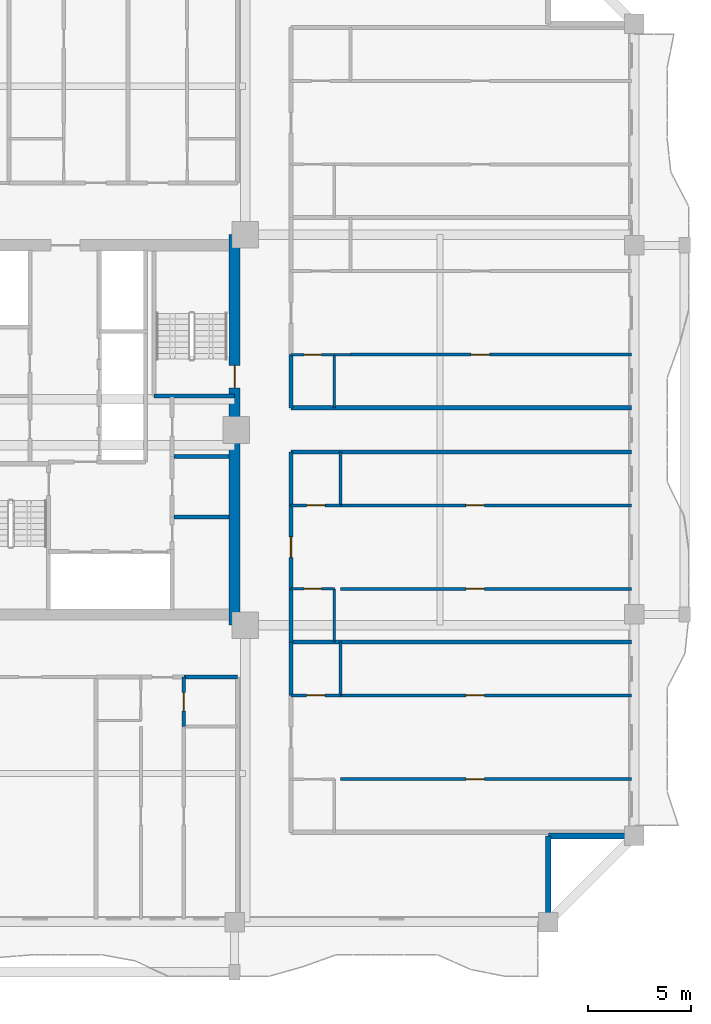
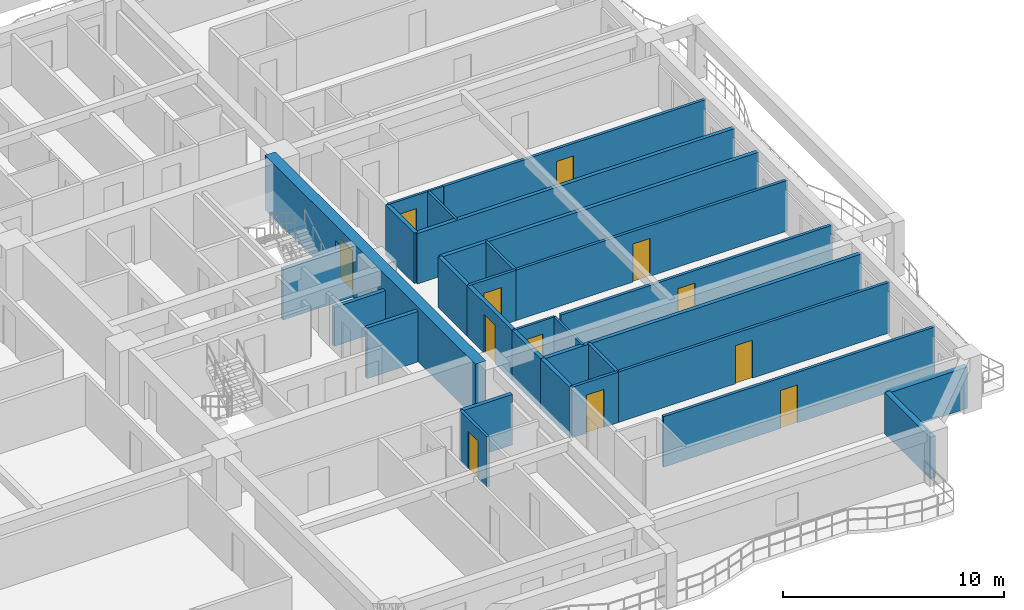
# One storey, part 4 of 12: 30 walls, 12 doors, 12 openings.
"""IFC4 building model written with IfcOpenShell, lengths in metres."""

from ifc_helpers import new_model, si_unit, direction, frame, frame_2d, origin, place, context, subcontext, project, spatial, rectangle, extrude, source, transform, mapped, material, layer, layer_set, type_object, element, fill, save


model = new_model("IFC4")

# Units and contexts
model_context = context("Model", 3, precision=1e-05, world=origin(), true_north=direction((0.0, 1.0)))
body_context = subcontext(model_context, "Body", "Model", "MODEL_VIEW")
ifc_project = project(units=[si_unit("LENGTHUNIT", "METRE"), si_unit("AREAUNIT", "SQUARE_METRE"), si_unit("VOLUMEUNIT", "CUBIC_METRE"), si_unit("PLANEANGLEUNIT", "RADIAN"), si_unit("MASSUNIT", "GRAM", prefix="KILO")], contexts=[model_context])

# Site, building, storey
site_placement = place(None, origin())
site = spatial("IfcSite", under=ifc_project, at=site_placement, CompositionType="ELEMENT")
building_placement = place(site_placement, origin())
building = spatial("IfcBuilding", under=site, at=building_placement, Name="Saelheon Loggia Tower", CompositionType="ELEMENT")
storey_placement = place(building_placement, frame((0.0, 0.0, 101.85009765625)))
storey = spatial("IfcBuildingStorey", under=building, at=storey_placement, Name="L32", CompositionType="ELEMENT", Elevation=101.85009765625)

# Wall, opening, door
ifc_material_1 = material(Name="Concrete C50/60", Category="concrete")
ifc_layer_1 = layer(ifc_material_1, 0.550048828125)
ifc_layer_set_1 = layer_set([ifc_layer_1], Name="Concrete C50/60")
wall_type_1 = type_object("IfcWallType", Name="Wall_CoreShear_550", PredefinedType="SHEAR", material=ifc_layer_set_1)
wall_1_placement = place(storey_placement, frame((44.5, 17.47998046875, 0.0), z_axis=(0.0, 0.0, 1.0), x_axis=(0.0, 1.0, 0.0)))
wall_1 = element("IfcWall", 1, at=wall_1_placement, inside=storey, type_object=wall_type_1, Name="L32 Core Shear Wall East", PredefinedType="SHEAR", context=body_context, shape_type="SweptSolid", body=[
    extrude(rectangle(XDim=19.0400390625, YDim=0.550048828125, at=frame_2d((9.52001953125, 0.0))), origin(), (0.0, 0.0, 1.0), 3.0),
])
opening_1_placement = place(wall_1_placement, frame((12.670166015625, 0.0, 0.0), z_axis=(0.0, 0.0, 1.0), x_axis=(-1.0, 0.0, 0.0)))
opening_1 = element("IfcOpeningElement", 2, at=opening_1_placement, cuts=wall_1, Name="Opening D-FD2", PredefinedType="OPENING", context=body_context, shape_type="SweptSolid", body=[
    extrude(rectangle(XDim=1.10009765625, YDim=2.14990234375, at=frame_2d((0.550048828125, 1.074951171875))), frame((0.0, 0.287109375, 0.0), z_axis=(0.0, -1.0, 0.0), x_axis=(1.0, 0.0, 0.0)), (0.0, 0.0, 1.0), 0.573974609375),
])
ifc_material_2 = material(Name="Galvanised Steel Fire Door", Category="steel")
door_type_1 = type_object("IfcDoorType", Name="Door_Fire_FD60_1100", OperationType="NOTDEFINED", PredefinedType="DOOR", material=ifc_material_2)
shared_shape_1 = source(origin(), body_context, "Body", "SweptSolid", [
    extrude(rectangle(XDim=1.10009765625, YDim=2.14990234375, at=frame_2d((0.550048828125, 1.074951171875))), frame((0.0, 0.02490234375, 0.0), z_axis=(0.0, -1.0, 0.0), x_axis=(1.0, 0.0, 0.0)), (0.0, 0.0, 1.0), 0.050048828125),
])
door_1_placement = place(opening_1_placement, origin())
door_1 = element("IfcDoor", 3, at=door_1_placement, inside=storey, type_object=door_type_1, Name="L32 Stair ST2 Corridor Door", OperationType="SINGLE_SWING_RIGHT", OverallHeight=2.14990234375, OverallWidth=1.10009765625, PredefinedType="DOOR", context=body_context, shape_type="MappedRepresentation", body=[
    mapped(shared_shape_1, transform((0.0, 0.0, 0.0), scale=1.0)),
])
fill(opening_1, door_1)

# Walls
ifc_material_3 = material(Name="Architectural Precast Concrete C40/50", Category="concrete")
ifc_layer_2 = layer(ifc_material_3, 0.280029296875)
ifc_layer_set_2 = layer_set([ifc_layer_2], Name="Architectural Precast Concrete C40/50")
wall_type_2 = type_object("IfcWallType", Name="Wall_Ext_Loggia_280", PredefinedType="SOLIDWALL", material=ifc_layer_set_2)
for number, where, z_axis, x_axis, name in (
    (4, (59.800048828125, 3.080078125, 0.0), (0.0, 0.0, 1.0), (0.0, 1.0, 0.0), "L32 Corner Notch Precast Wall SE1"),
    (5, (59.800048828125, 7.199951171875, 0.0), (0.0, 0.0, 1.0), (1.0, 0.0, 0.0), "L32 Corner Notch Precast Wall SE2"),
):
    element("IfcWall", number, at=place(storey_placement, frame(where, z_axis=z_axis, x_axis=x_axis)), inside=storey, type_object=wall_type_2, Name=name, PredefinedType="SOLIDWALL", context=body_context, shape_type="SweptSolid", body=[
        extrude(rectangle(XDim=4.119873046875, YDim=0.280029296875, at=frame_2d((2.06005859375, 0.0))), origin(), (0.0, 0.0, 1.0), 2.27978515625),
    ])

# Wall, opening, door
ifc_material_4 = material(Name="Lightweight Autoclaved Aerated Concrete Block and Acoustic Gypsum", Category="concrete")
ifc_layer_3 = layer(ifc_material_4, 0.14990234375)
ifc_layer_set_3 = layer_set([ifc_layer_3], Name="Lightweight Autoclaved Aerated Concrete Block and Acoustic Gypsum")
wall_type_3 = type_object("IfcWallType", Name="Wall_Part_150", PredefinedType="PARTITIONING", material=ifc_layer_set_3)
wall_2_placement = place(storey_placement, frame((42.02197265625, 14.949951171875, 0.0), z_axis=(0.0, 0.0, 1.0), x_axis=(0.0, -1.0, 0.0)))
wall_2 = element("IfcWall", 6, at=wall_2_placement, inside=storey, type_object=wall_type_3, Name="L32 S Partition U12", PredefinedType="PARTITIONING", context=body_context, shape_type="SweptSolid", body=[
    extrude(rectangle(XDim=2.419921875, YDim=0.14990234375, at=frame_2d((1.2099609375, 0.0))), origin(), (0.0, 0.0, 1.0), 2.789794921875),
])
opening_2_placement = place(wall_2_placement, frame((0.760009765625, 0.0, 0.0)))
opening_2 = element("IfcOpeningElement", 7, at=opening_2_placement, cuts=wall_2, Name="Opening D-IN2", PredefinedType="OPENING", context=body_context, shape_type="SweptSolid", body=[
    extrude(rectangle(XDim=0.89990234375, YDim=2.10009765625, at=frame_2d((0.449951171875, 1.050048828125))), frame((0.0, 0.0869140625, 0.0), z_axis=(0.0, -1.0, 0.0), x_axis=(1.0, 0.0, 0.0)), (0.0, 0.0, 1.0), 0.173828125),
])
ifc_material_5 = material(Name="Engineered Oak Flush Door", Category="timber")
door_type_2 = type_object("IfcDoorType", Name="Door_Int_900", OperationType="NOTDEFINED", PredefinedType="DOOR", material=ifc_material_5)
shared_shape_2 = source(origin(), body_context, "Body", "SweptSolid", [
    extrude(rectangle(XDim=0.89990234375, YDim=2.10009765625, at=frame_2d((0.449951171875, 1.050048828125))), frame((0.0, 0.02490234375, 0.0), z_axis=(0.0, -1.0, 0.0), x_axis=(1.0, 0.0, 0.0)), (0.0, 0.0, 1.0), 0.050048828125),
])
door_2_placement = place(opening_2_placement, origin())
door_2 = element("IfcDoor", 8, at=door_2_placement, inside=storey, type_object=door_type_2, Name="Unit U01 Dressing Closet Door", OperationType="SINGLE_SWING_LEFT", OverallHeight=2.10009765625, OverallWidth=0.89990234375, PredefinedType="DOOR", context=body_context, shape_type="MappedRepresentation", body=[
    mapped(shared_shape_2, transform((0.0, 0.0, 0.0), scale=1.0)),
])
fill(opening_2, door_2)

# Wall
wall_3_placement = place(storey_placement, frame((49.669921875, 14.050048828125, 0.0), z_axis=(0.0, 0.0, 1.0), x_axis=(0.0, 1.0, 0.0)))
element("IfcWall", 9, at=wall_3_placement, inside=storey, type_object=wall_type_3, Name="L32 ES Partition V07", PredefinedType="PARTITIONING", context=body_context, shape_type="SweptSolid", body=[
    extrude(rectangle(XDim=2.599853515625, YDim=0.14990234375, at=frame_2d((1.2998046875, 0.0))), origin(), (0.0, 0.0, 1.0), 2.789794921875),
])

# Wall, opening, door
wall_4_placement = place(storey_placement, frame((49.669921875, 9.9755859375, 0.0), z_axis=(0.0, 0.0, 1.0), x_axis=(1.0, 0.0, 0.0)))
wall_4 = element("IfcWall", 10, at=wall_4_placement, inside=storey, type_object=wall_type_3, Name="L32 ES Partition U09", PredefinedType="PARTITIONING", context=body_context, shape_type="SweptSolid", body=[
    extrude(rectangle(XDim=14.18017578125, YDim=0.14990234375, at=frame_2d((7.090087890625, 0.0))), origin(), (0.0, 0.0, 1.0), 2.789794921875),
])
opening_3_placement = place(wall_4_placement, frame((6.106689453125, 0.0, 0.0)))
opening_3 = element("IfcOpeningElement", 11, at=opening_3_placement, cuts=wall_4, Name="Opening D-IN2", PredefinedType="OPENING", context=body_context, shape_type="SweptSolid", body=[
    extrude(rectangle(XDim=0.89990234375, YDim=2.10009765625, at=frame_2d((0.449951171875, 1.050048828125))), frame((0.0, 0.0869140625, 0.0), z_axis=(0.0, -1.0, 0.0), x_axis=(1.0, 0.0, 0.0)), (0.0, 0.0, 1.0), 0.173828125),
])
door_3_placement = place(opening_3_placement, origin())
door_3 = element("IfcDoor", 12, at=door_3_placement, inside=storey, type_object=door_type_2, Name="Unit U04 Kitchen Door", OperationType="SINGLE_SWING_RIGHT", OverallHeight=2.10009765625, OverallWidth=0.89990234375, PredefinedType="DOOR", context=body_context, shape_type="MappedRepresentation", body=[
    mapped(shared_shape_2, transform((0.0, 0.0, 0.0), scale=1.0)),
])
fill(opening_3, door_3)

wall_5_placement = place(storey_placement, frame((47.25, 14.050048828125, 0.0), z_axis=(0.0, 0.0, 1.0), x_axis=(1.0, 0.0, 0.0)))
wall_5 = element("IfcWall", 13, at=wall_5_placement, inside=storey, type_object=wall_type_3, Name="L32 ES Partition U10", PredefinedType="PARTITIONING", context=body_context, shape_type="SweptSolid", body=[
    extrude(rectangle(XDim=2.419921875, YDim=0.14990234375, at=frame_2d((1.2099609375, 0.0))), origin(), (0.0, 0.0, 1.0), 2.789794921875),
])
opening_4_placement = place(wall_5_placement, frame((0.760009765625, 0.0, 0.0)))
opening_4 = element("IfcOpeningElement", 14, at=opening_4_placement, cuts=wall_5, Name="Opening D-IN2", PredefinedType="OPENING", context=body_context, shape_type="SweptSolid", body=[
    extrude(rectangle(XDim=0.89990234375, YDim=2.10009765625, at=frame_2d((0.449951171875, 1.050048828125))), frame((0.0, 0.0869140625, 0.0), z_axis=(0.0, -1.0, 0.0), x_axis=(1.0, 0.0, 0.0)), (0.0, 0.0, 1.0), 0.173828125),
])
door_4_placement = place(opening_4_placement, origin())
door_4 = element("IfcDoor", 15, at=door_4_placement, inside=storey, type_object=door_type_2, Name="Unit U04 Dressing Closet Door", OperationType="SINGLE_SWING_LEFT", OverallHeight=2.10009765625, OverallWidth=0.89990234375, PredefinedType="DOOR", context=body_context, shape_type="MappedRepresentation", body=[
    mapped(shared_shape_2, transform((0.0, 0.0, 0.0), scale=1.0)),
])
fill(opening_4, door_4)

wall_6_placement = place(storey_placement, frame((49.669921875, 14.050048828125, 0.0), z_axis=(0.0, 0.0, 1.0), x_axis=(1.0, 0.0, 0.0)))
wall_6 = element("IfcWall", 16, at=wall_6_placement, inside=storey, type_object=wall_type_3, Name="L32 ES Partition U11", PredefinedType="PARTITIONING", context=body_context, shape_type="SweptSolid", body=[
    extrude(rectangle(XDim=14.18017578125, YDim=0.14990234375, at=frame_2d((7.090087890625, 0.0))), origin(), (0.0, 0.0, 1.0), 2.789794921875),
])
opening_5_placement = place(wall_6_placement, frame((6.106689453125, 0.0, 0.0)))
opening_5 = element("IfcOpeningElement", 17, at=opening_5_placement, cuts=wall_6, Name="Opening D-IN2", PredefinedType="OPENING", context=body_context, shape_type="SweptSolid", body=[
    extrude(rectangle(XDim=0.89990234375, YDim=2.10009765625, at=frame_2d((0.449951171875, 1.050048828125))), frame((0.0, 0.0869140625, 0.0), z_axis=(0.0, -1.0, 0.0), x_axis=(1.0, 0.0, 0.0)), (0.0, 0.0, 1.0), 0.173828125),
])
door_5_placement = place(opening_5_placement, origin())
door_5 = element("IfcDoor", 18, at=door_5_placement, inside=storey, type_object=door_type_2, Name="Unit U04 Bedroom 1 Door", OperationType="SINGLE_SWING_RIGHT", OverallHeight=2.10009765625, OverallWidth=0.89990234375, PredefinedType="DOOR", context=body_context, shape_type="MappedRepresentation", body=[
    mapped(shared_shape_2, transform((0.0, 0.0, 0.0), scale=1.0)),
])
fill(opening_5, door_5)

# Wall
wall_7_placement = place(storey_placement, frame((49.669921875, 23.320068359375, 0.0), z_axis=(0.0, 0.0, 1.0), x_axis=(0.0, 1.0, 0.0)))
element("IfcWall", 19, at=wall_7_placement, inside=storey, type_object=wall_type_3, Name="L32 ES Partition V17", PredefinedType="PARTITIONING", context=body_context, shape_type="SweptSolid", body=[
    extrude(rectangle(XDim=2.599853515625, YDim=0.14990234375, at=frame_2d((1.2998046875, 0.0))), origin(), (0.0, 0.0, 1.0), 2.789794921875),
])

# Wall, opening, door
wall_8_placement = place(storey_placement, frame((49.669921875, 19.24560546875, 0.0), z_axis=(0.0, 0.0, 1.0), x_axis=(1.0, 0.0, 0.0)))
wall_8 = element("IfcWall", 20, at=wall_8_placement, inside=storey, type_object=wall_type_3, Name="L32 ES Partition U19", PredefinedType="PARTITIONING", context=body_context, shape_type="SweptSolid", body=[
    extrude(rectangle(XDim=14.18017578125, YDim=0.14990234375, at=frame_2d((7.090087890625, 0.0))), origin(), (0.0, 0.0, 1.0), 2.789794921875),
])
opening_6_placement = place(wall_8_placement, frame((6.106689453125, 0.0, 0.0)))
opening_6 = element("IfcOpeningElement", 21, at=opening_6_placement, cuts=wall_8, Name="Opening D-IN2", PredefinedType="OPENING", context=body_context, shape_type="SweptSolid", body=[
    extrude(rectangle(XDim=0.89990234375, YDim=2.10009765625, at=frame_2d((0.449951171875, 1.050048828125))), frame((0.0, 0.0869140625, 0.0), z_axis=(0.0, -1.0, 0.0), x_axis=(1.0, 0.0, 0.0)), (0.0, 0.0, 1.0), 0.173828125),
])
door_6_placement = place(opening_6_placement, origin())
door_6 = element("IfcDoor", 22, at=door_6_placement, inside=storey, type_object=door_type_2, Name="Unit U05 Kitchen Door", OperationType="SINGLE_SWING_LEFT", OverallHeight=2.10009765625, OverallWidth=0.89990234375, PredefinedType="DOOR", context=body_context, shape_type="MappedRepresentation", body=[
    mapped(shared_shape_2, transform((0.0, 0.0, 0.0), scale=1.0)),
])
fill(opening_6, door_6)

wall_9_placement = place(storey_placement, frame((47.25, 23.320068359375, 0.0), z_axis=(0.0, 0.0, 1.0), x_axis=(1.0, 0.0, 0.0)))
wall_9 = element("IfcWall", 23, at=wall_9_placement, inside=storey, type_object=wall_type_3, Name="L32 ES Partition U20", PredefinedType="PARTITIONING", context=body_context, shape_type="SweptSolid", body=[
    extrude(rectangle(XDim=2.419921875, YDim=0.14990234375, at=frame_2d((1.2099609375, 0.0))), origin(), (0.0, 0.0, 1.0), 2.789794921875),
])
opening_7_placement = place(wall_9_placement, frame((0.760009765625, 0.0, 0.0)))
opening_7 = element("IfcOpeningElement", 24, at=opening_7_placement, cuts=wall_9, Name="Opening D-IN2", PredefinedType="OPENING", context=body_context, shape_type="SweptSolid", body=[
    extrude(rectangle(XDim=0.89990234375, YDim=2.10009765625, at=frame_2d((0.449951171875, 1.050048828125))), frame((0.0, 0.0869140625, 0.0), z_axis=(0.0, -1.0, 0.0), x_axis=(1.0, 0.0, 0.0)), (0.0, 0.0, 1.0), 0.173828125),
])
door_7_placement = place(opening_7_placement, origin())
door_7 = element("IfcDoor", 25, at=door_7_placement, inside=storey, type_object=door_type_2, Name="Unit U05 Dressing Closet Door", OperationType="SINGLE_SWING_RIGHT", OverallHeight=2.10009765625, OverallWidth=0.89990234375, PredefinedType="DOOR", context=body_context, shape_type="MappedRepresentation", body=[
    mapped(shared_shape_2, transform((0.0, 0.0, 0.0), scale=1.0)),
])
fill(opening_7, door_7)

wall_10_placement = place(storey_placement, frame((49.669921875, 23.320068359375, 0.0), z_axis=(0.0, 0.0, 1.0), x_axis=(1.0, 0.0, 0.0)))
wall_10 = element("IfcWall", 26, at=wall_10_placement, inside=storey, type_object=wall_type_3, Name="L32 ES Partition U21", PredefinedType="PARTITIONING", context=body_context, shape_type="SweptSolid", body=[
    extrude(rectangle(XDim=14.18017578125, YDim=0.14990234375, at=frame_2d((7.090087890625, 0.0))), origin(), (0.0, 0.0, 1.0), 2.789794921875),
])
opening_8_placement = place(wall_10_placement, frame((6.106689453125, 0.0, 0.0)))
opening_8 = element("IfcOpeningElement", 27, at=opening_8_placement, cuts=wall_10, Name="Opening D-IN2", PredefinedType="OPENING", context=body_context, shape_type="SweptSolid", body=[
    extrude(rectangle(XDim=0.89990234375, YDim=2.10009765625, at=frame_2d((0.449951171875, 1.050048828125))), frame((0.0, 0.0869140625, 0.0), z_axis=(0.0, -1.0, 0.0), x_axis=(1.0, 0.0, 0.0)), (0.0, 0.0, 1.0), 0.173828125),
])
door_8_placement = place(opening_8_placement, origin())
door_8 = element("IfcDoor", 28, at=door_8_placement, inside=storey, type_object=door_type_2, Name="Unit U05 Bedroom 1 Door", OperationType="SINGLE_SWING_LEFT", OverallHeight=2.10009765625, OverallWidth=0.89990234375, PredefinedType="DOOR", context=body_context, shape_type="MappedRepresentation", body=[
    mapped(shared_shape_2, transform((0.0, 0.0, 0.0), scale=1.0)),
])
fill(opening_8, door_8)

wall_11_placement = place(storey_placement, frame((50.14990234375, 30.675537109375, 0.0), z_axis=(0.0, 0.0, 1.0), x_axis=(1.0, 0.0, 0.0)))
wall_11 = element("IfcWall", 29, at=wall_11_placement, inside=storey, type_object=wall_type_3, Name="L32 EN Partition U10", PredefinedType="PARTITIONING", context=body_context, shape_type="SweptSolid", body=[
    extrude(rectangle(XDim=13.7001953125, YDim=0.14990234375, at=frame_2d((6.85009765625, 0.0))), origin(), (0.0, 0.0, 1.0), 2.789794921875),
])
opening_9_placement = place(wall_11_placement, frame((5.88671875, 0.0, 0.0)))
opening_9 = element("IfcOpeningElement", 30, at=opening_9_placement, cuts=wall_11, Name="Opening D-IN2", PredefinedType="OPENING", context=body_context, shape_type="SweptSolid", body=[
    extrude(rectangle(XDim=0.89990234375, YDim=2.10009765625, at=frame_2d((0.449951171875, 1.050048828125))), frame((0.0, 0.0869140625, 0.0), z_axis=(0.0, -1.0, 0.0), x_axis=(1.0, 0.0, 0.0)), (0.0, 0.0, 1.0), 0.173828125),
])
door_9_placement = place(opening_9_placement, origin())
door_9 = element("IfcDoor", 31, at=door_9_placement, inside=storey, type_object=door_type_2, Name="Unit U06 Kitchen Door", OperationType="SINGLE_SWING_RIGHT", OverallHeight=2.10009765625, OverallWidth=0.89990234375, PredefinedType="DOOR", context=body_context, shape_type="MappedRepresentation", body=[
    mapped(shared_shape_2, transform((0.0, 0.0, 0.0), scale=1.0)),
])
fill(opening_9, door_9)

# Walls
ifc_material_6 = material(Name="Double Acoustic Stud and Fireboard Partition", Category="gypsum")
ifc_layer_4 = layer(ifc_material_6, 0.199951171875)
ifc_layer_set_4 = layer_set([ifc_layer_4], Name="Double Acoustic Stud and Fireboard Partition")
wall_type_4 = type_object("IfcWallType", Name="Wall_Party_200", PredefinedType="PARTITIONING", material=ifc_layer_set_4)
wall_12_placement = place(storey_placement, frame((42.02197265625, 14.949951171875, 0.0), z_axis=(0.0, 0.0, 1.0), x_axis=(1.0, 0.0, 0.0)))
element("IfcWall", 32, at=wall_12_placement, inside=storey, type_object=wall_type_4, Name="L32 S Partition V07", PredefinedType="PARTITIONING", context=body_context, shape_type="SweptSolid", body=[
    extrude(rectangle(XDim=2.6279296875, YDim=0.199951171875, at=frame_2d((1.31396484375, 0.0))), origin(), (0.0, 0.0, 1.0), 2.789794921875),
])
wall_13_placement = place(storey_placement, frame((47.25, 25.919921875, 0.0), z_axis=(0.0, 0.0, 1.0), x_axis=(1.0, 0.0, 0.0)))
element("IfcWall", 33, at=wall_13_placement, inside=storey, type_object=wall_type_4, Name="L32 ES Partition U02", PredefinedType="PARTITIONING", context=body_context, shape_type="SweptSolid", body=[
    extrude(rectangle(XDim=16.60009765625, YDim=0.199951171875, at=frame_2d((8.300048828125, 0.0))), origin(), (0.0, 0.0, 1.0), 2.789794921875),
])
wall_14_placement = place(storey_placement, frame((47.25, 14.050048828125, 0.0), z_axis=(0.0, 0.0, 1.0), x_axis=(0.0, 1.0, 0.0)))
element("IfcWall", 34, at=wall_14_placement, inside=storey, type_object=wall_type_4, Name="L32 ES Partition V05", PredefinedType="PARTITIONING", context=body_context, shape_type="SweptSolid", body=[
    extrude(rectangle(XDim=2.599853515625, YDim=0.199951171875, at=frame_2d((1.2998046875, 0.0))), origin(), (0.0, 0.0, 1.0), 2.789794921875),
])
wall_15_placement = place(storey_placement, frame((47.25, 16.64990234375, 0.0), z_axis=(0.0, 0.0, 1.0), x_axis=(1.0, 0.0, 0.0)))
element("IfcWall", 35, at=wall_15_placement, inside=storey, type_object=wall_type_4, Name="L32 ES Partition U12", PredefinedType="PARTITIONING", context=body_context, shape_type="SweptSolid", body=[
    extrude(rectangle(XDim=16.60009765625, YDim=0.199951171875, at=frame_2d((8.300048828125, 0.0))), origin(), (0.0, 0.0, 1.0), 2.789794921875),
])
wall_16_placement = place(storey_placement, frame((47.25, 16.64990234375, 0.0), z_axis=(0.0, 0.0, 1.0), x_axis=(0.0, 1.0, 0.0)))
element("IfcWall", 36, at=wall_16_placement, inside=storey, type_object=wall_type_4, Name="L32 ES Partition V13", PredefinedType="PARTITIONING", context=body_context, shape_type="SweptSolid", body=[
    extrude(rectangle(XDim=2.595703125, YDim=0.199951171875, at=frame_2d((1.2978515625, 0.0))), origin(), (0.0, 0.0, 1.0), 2.789794921875),
])

# Wall, opening, door
wall_17_placement = place(storey_placement, frame((47.25, 19.24560546875, 0.0), z_axis=(0.0, 0.0, 1.0), x_axis=(0.0, 1.0, 0.0)))
wall_17 = element("IfcWall", 37, at=wall_17_placement, inside=storey, type_object=wall_type_4, Name="L32 ES Partition V14", PredefinedType="PARTITIONING", context=body_context, shape_type="SweptSolid", body=[
    extrude(rectangle(XDim=4.074462890625, YDim=0.199951171875, at=frame_2d((2.037109375, 0.0))), origin(), (0.0, 0.0, 1.0), 2.789794921875),
])
opening_10_placement = place(wall_17_placement, frame((1.537109375, 0.0, 0.0)))
opening_10 = element("IfcOpeningElement", 38, at=opening_10_placement, cuts=wall_17, Name="Opening D-FD1", PredefinedType="OPENING", context=body_context, shape_type="SweptSolid", body=[
    extrude(rectangle(XDim=1.0, YDim=2.14990234375, at=frame_2d((0.5, 1.074951171875))), frame((0.0, 0.112060546875, 0.0), z_axis=(0.0, -1.0, 0.0), x_axis=(1.0, 0.0, 0.0)), (0.0, 0.0, 1.0), 0.223876953125),
])
ifc_material_7 = material(Name="Fire-Rated Engineered Timber Entrance Door", Category="wood")
door_type_3 = type_object("IfcDoorType", Name="Door_Flat_FD30S", OperationType="NOTDEFINED", PredefinedType="DOOR", material=ifc_material_7)
shared_shape_3 = source(origin(), body_context, "Body", "SweptSolid", [
    extrude(rectangle(XDim=1.0, YDim=2.14990234375, at=frame_2d((0.5, 1.074951171875))), frame((0.0, 0.02490234375, 0.0), z_axis=(0.0, -1.0, 0.0), x_axis=(1.0, 0.0, 0.0)), (0.0, 0.0, 1.0), 0.050048828125),
])
door_10_placement = place(opening_10_placement, origin())
door_10 = element("IfcDoor", 39, at=door_10_placement, inside=storey, type_object=door_type_3, Name="Unit U05 Entrance Door", OperationType="SINGLE_SWING_LEFT", OverallHeight=2.14990234375, OverallWidth=1.0, PredefinedType="DOOR", context=body_context, shape_type="MappedRepresentation", body=[
    mapped(shared_shape_3, transform((0.0, 0.0, 0.0), scale=1.0)),
])
fill(opening_10, door_10)

# Walls
wall_18_placement = place(storey_placement, frame((47.25, 23.320068359375, 0.0), z_axis=(0.0, 0.0, 1.0), x_axis=(0.0, 1.0, 0.0)))
element("IfcWall", 40, at=wall_18_placement, inside=storey, type_object=wall_type_4, Name="L32 ES Partition V15", PredefinedType="PARTITIONING", context=body_context, shape_type="SweptSolid", body=[
    extrude(rectangle(XDim=2.599853515625, YDim=0.199951171875, at=frame_2d((1.2998046875, 0.0))), origin(), (0.0, 0.0, 1.0), 2.789794921875),
])
wall_19_placement = place(storey_placement, frame((47.25, 28.080078125, 0.0), z_axis=(0.0, 0.0, 1.0), x_axis=(1.0, 0.0, 0.0)))
element("IfcWall", 41, at=wall_19_placement, inside=storey, type_object=wall_type_4, Name="L32 EN Partition U01", PredefinedType="PARTITIONING", context=body_context, shape_type="SweptSolid", body=[
    extrude(rectangle(XDim=16.60009765625, YDim=0.199951171875, at=frame_2d((8.300048828125, 0.0))), origin(), (0.0, 0.0, 1.0), 2.789794921875),
])
wall_20_placement = place(storey_placement, frame((47.25, 28.080078125, 0.0), z_axis=(0.0, 0.0, 1.0), x_axis=(0.0, 1.0, 0.0)))
element("IfcWall", 42, at=wall_20_placement, inside=storey, type_object=wall_type_4, Name="L32 EN Partition V03", PredefinedType="PARTITIONING", context=body_context, shape_type="SweptSolid", body=[
    extrude(rectangle(XDim=2.595458984375, YDim=0.199951171875, at=frame_2d((1.2978515625, 0.0))), origin(), (0.0, 0.0, 1.0), 2.789794921875),
])
ifc_material_8 = material(Name="Concrete C40/50", Category="concrete")
ifc_layer_5 = layer(ifc_material_8, 0.199951171875)
ifc_layer_set_5 = layer_set([ifc_layer_5], Name="Concrete C40/50")
wall_type_5 = type_object("IfcWallType", Name="Wall_Shaft_200", PredefinedType="PARTITIONING", material=ifc_layer_set_5)
wall_21_placement = place(storey_placement, frame((41.550048828125, 22.75, 0.0), z_axis=(0.0, 0.0, 1.0), x_axis=(1.0, 0.0, 0.0)))
element("IfcWall", 43, at=wall_21_placement, inside=storey, type_object=wall_type_5, Name="CW-BOH-L32-H1", PredefinedType="PARTITIONING", context=body_context, shape_type="SweptSolid", body=[
    extrude(rectangle(XDim=2.669921875, YDim=0.199951171875, at=frame_2d((1.3349609375, 0.0))), origin(), (0.0, 0.0, 1.0), 2.789794921875),
])
wall_22_placement = place(storey_placement, frame((41.550048828125, 25.699951171875, 0.0), z_axis=(0.0, 0.0, 1.0), x_axis=(1.0, 0.0, 0.0)))
element("IfcWall", 44, at=wall_22_placement, inside=storey, type_object=wall_type_5, Name="CW-BOH-L32-H2", PredefinedType="PARTITIONING", context=body_context, shape_type="SweptSolid", body=[
    extrude(rectangle(XDim=2.669921875, YDim=0.199951171875, at=frame_2d((1.3349609375, 0.0))), origin(), (0.0, 0.0, 1.0), 2.139892578125),
])
ifc_material_9 = material(Name="Concrete C45/55", Category="concrete")
ifc_layer_6 = layer(ifc_material_9, 0.199951171875)
ifc_layer_set_6 = layer_set([ifc_layer_6], Name="Concrete C45/55")
wall_type_6 = type_object("IfcWallType", Name="Wall_StairShaft_RC200", PredefinedType="SOLIDWALL", material=ifc_layer_set_6)
wall_23_placement = place(storey_placement, frame((40.570068359375, 28.64990234375, 0.0), z_axis=(0.0, 0.0, 1.0), x_axis=(1.0, 0.0, 0.0)))
element("IfcWall", 45, at=wall_23_placement, inside=storey, type_object=wall_type_6, Name="L32 Stair ST2 South Wall", PredefinedType="SOLIDWALL", context=body_context, shape_type="SweptSolid", body=[
    extrude(rectangle(XDim=3.929931640625, YDim=0.199951171875, at=frame_2d((1.96484375, 0.0))), origin(), (0.0, 0.0, 1.0), 2.789794921875),
])
ifc_material_10 = material(Name="Moisture-Resistant Cement Board Partition", Category="gypsum")
ifc_layer_7 = layer(ifc_material_10, 0.1201171875)
ifc_layer_set_7 = layer_set([ifc_layer_7], Name="Moisture-Resistant Cement Board Partition")
wall_type_7 = type_object("IfcWallType", Name="Wall_WetPart_120", PredefinedType="PARTITIONING", material=ifc_layer_set_7)
wall_24_placement = place(storey_placement, frame((49.3701171875, 16.64990234375, 0.0), z_axis=(0.0, 0.0, 1.0), x_axis=(0.0, 1.0, 0.0)))
element("IfcWall", 46, at=wall_24_placement, inside=storey, type_object=wall_type_7, Name="L32 ES Partition V16", PredefinedType="PARTITIONING", context=body_context, shape_type="SweptSolid", body=[
    extrude(rectangle(XDim=2.595703125, YDim=0.1201171875, at=frame_2d((1.2978515625, 0.0))), origin(), (0.0, 0.0, 1.0), 2.789794921875),
])

# Wall, opening, door
wall_25_placement = place(storey_placement, frame((47.25, 19.24560546875, 0.0), z_axis=(0.0, 0.0, 1.0), x_axis=(1.0, 0.0, 0.0)))
wall_25 = element("IfcWall", 47, at=wall_25_placement, inside=storey, type_object=wall_type_7, Name="L32 ES Partition U18", PredefinedType="PARTITIONING", context=body_context, shape_type="SweptSolid", body=[
    extrude(rectangle(XDim=2.1201171875, YDim=0.1201171875, at=frame_2d((1.06005859375, 0.0))), origin(), (0.0, 0.0, 1.0), 2.789794921875),
])
opening_11_placement = place(wall_25_placement, frame((0.635009765625, 0.0, 0.0)))
opening_11 = element("IfcOpeningElement", 48, at=opening_11_placement, cuts=wall_25, Name="Opening D-BT1", PredefinedType="OPENING", context=body_context, shape_type="SweptSolid", body=[
    extrude(rectangle(XDim=0.85009765625, YDim=2.050048828125, at=frame_2d((0.425048828125, 1.02490234375))), frame((0.0, 0.072021484375, 0.0), z_axis=(0.0, -1.0, 0.0), x_axis=(1.0, 0.0, 0.0)), (0.0, 0.0, 1.0), 0.14404296875),
])
ifc_material_11 = material(Name="Moisture-Resistant Laminate Timber Door", Category="wood")
door_type_4 = type_object("IfcDoorType", Name="Door_Bath_850", OperationType="NOTDEFINED", PredefinedType="DOOR", material=ifc_material_11)
shared_shape_4 = source(origin(), body_context, "Body", "SweptSolid", [
    extrude(rectangle(XDim=0.85009765625, YDim=2.050048828125, at=frame_2d((0.425048828125, 1.02490234375))), frame((0.0, 0.02490234375, 0.0), z_axis=(0.0, -1.0, 0.0), x_axis=(1.0, 0.0, 0.0)), (0.0, 0.0, 1.0), 0.050048828125),
])
door_11_placement = place(opening_11_placement, origin())
door_11 = element("IfcDoor", 49, at=door_11_placement, inside=storey, type_object=door_type_4, Name="Unit U05 Bathroom Door", OperationType="SINGLE_SWING_RIGHT", OverallHeight=2.050048828125, OverallWidth=0.85009765625, PredefinedType="DOOR", context=body_context, shape_type="MappedRepresentation", body=[
    mapped(shared_shape_4, transform((0.0, 0.0, 0.0), scale=1.0)),
])
fill(opening_11, door_11)

# Wall
wall_26_placement = place(storey_placement, frame((49.3701171875, 28.080078125, 0.0), z_axis=(0.0, 0.0, 1.0), x_axis=(0.0, 1.0, 0.0)))
element("IfcWall", 50, at=wall_26_placement, inside=storey, type_object=wall_type_7, Name="L32 EN Partition V06", PredefinedType="PARTITIONING", context=body_context, shape_type="SweptSolid", body=[
    extrude(rectangle(XDim=2.595458984375, YDim=0.1201171875, at=frame_2d((1.2978515625, 0.0))), origin(), (0.0, 0.0, 1.0), 2.789794921875),
])

# Wall, opening, door
wall_27_placement = place(storey_placement, frame((47.25, 30.675537109375, 0.0), z_axis=(0.0, 0.0, 1.0), x_axis=(1.0, 0.0, 0.0)))
wall_27 = element("IfcWall", 51, at=wall_27_placement, inside=storey, type_object=wall_type_7, Name="L32 EN Partition U08", PredefinedType="PARTITIONING", context=body_context, shape_type="SweptSolid", body=[
    extrude(rectangle(XDim=2.1201171875, YDim=0.1201171875, at=frame_2d((1.06005859375, 0.0))), origin(), (0.0, 0.0, 1.0), 2.789794921875),
])
opening_12_placement = place(wall_27_placement, frame((0.635009765625, 0.0, 0.0)))
opening_12 = element("IfcOpeningElement", 52, at=opening_12_placement, cuts=wall_27, Name="Opening D-BT1", PredefinedType="OPENING", context=body_context, shape_type="SweptSolid", body=[
    extrude(rectangle(XDim=0.85009765625, YDim=2.050048828125, at=frame_2d((0.425048828125, 1.02490234375))), frame((0.0, 0.072021484375, 0.0), z_axis=(0.0, -1.0, 0.0), x_axis=(1.0, 0.0, 0.0)), (0.0, 0.0, 1.0), 0.14404296875),
])
door_12_placement = place(opening_12_placement, origin())
door_12 = element("IfcDoor", 53, at=door_12_placement, inside=storey, type_object=door_type_4, Name="Unit U06 Bathroom Door", OperationType="SINGLE_SWING_LEFT", OverallHeight=2.050048828125, OverallWidth=0.85009765625, PredefinedType="DOOR", context=body_context, shape_type="MappedRepresentation", body=[
    mapped(shared_shape_4, transform((0.0, 0.0, 0.0), scale=1.0)),
])
fill(opening_12, door_12)

# Wall
wall_28_placement = place(storey_placement, frame((49.3701171875, 30.675537109375, 0.0), z_axis=(0.0, 0.0, 1.0), x_axis=(1.0, 0.0, 0.0)))
element("IfcWall", 54, at=wall_28_placement, inside=storey, type_object=wall_type_7, Name="L32 EN Partition U09", PredefinedType="PARTITIONING", context=body_context, shape_type="SweptSolid", body=[
    extrude(rectangle(XDim=0.77978515625, YDim=0.1201171875, at=frame_2d((0.389892578125, 0.0))), origin(), (0.0, 0.0, 1.0), 2.789794921875),
])

save(model, "model.ifc")
